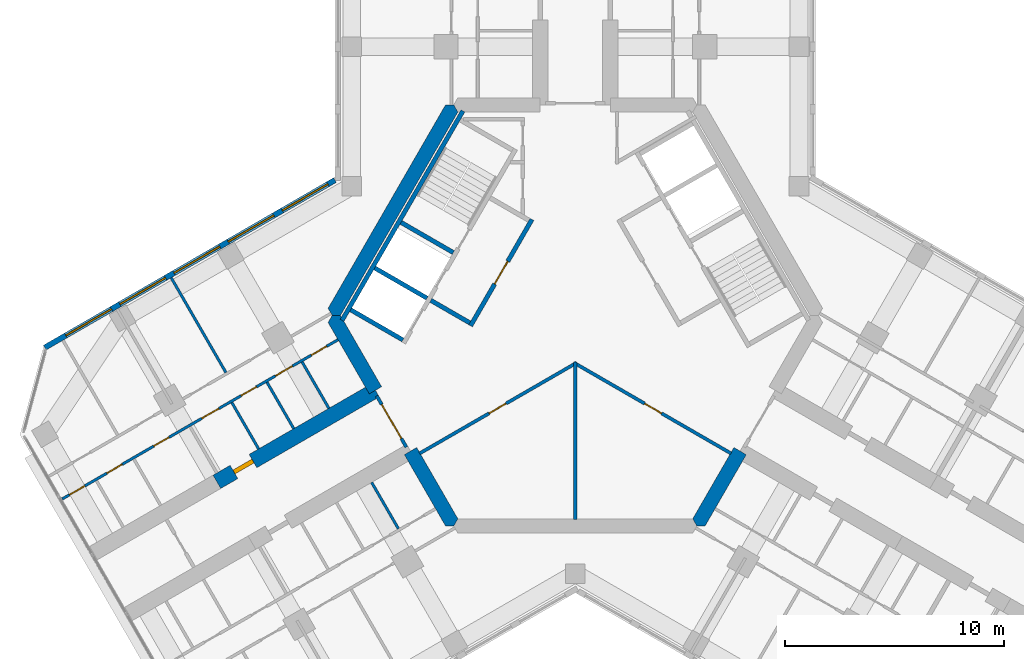
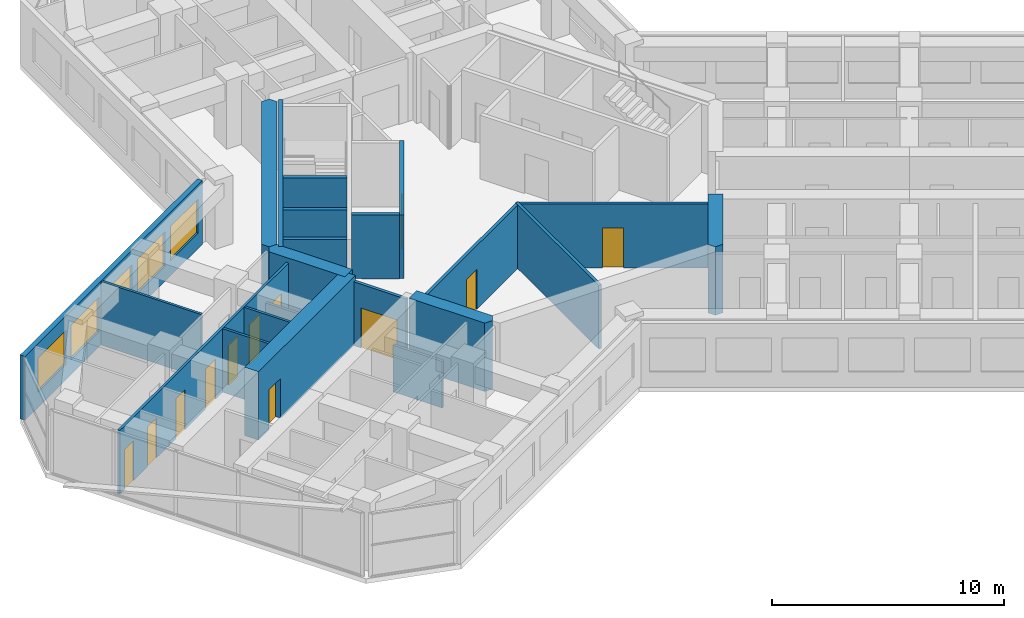
# One storey, part 9 of 16: 22 walls, 12 doors, 5 windows, 17 openings.
"""IFC4 building model written with IfcOpenShell, lengths in metres."""

from ifc_helpers import new_model, si_unit, direction, frame, frame_2d, origin, place, context, subcontext, project, spatial, polyline, rectangle, outline, extrude, material, layer, layer_set, type_object, element, fill, save


model = new_model("IFC4")

# Units and contexts
model_context = context("Model", 3, precision=1e-05, world=origin(), true_north=direction((0.0, 1.0)))
body_context = subcontext(model_context, "Body", "Model", "MODEL_VIEW")
ifc_project = project(units=[si_unit("LENGTHUNIT", "METRE"), si_unit("AREAUNIT", "SQUARE_METRE"), si_unit("VOLUMEUNIT", "CUBIC_METRE"), si_unit("PLANEANGLEUNIT", "RADIAN"), si_unit("MASSUNIT", "GRAM", prefix="KILO")], contexts=[model_context])

# Site, building, storey
site_placement = place(None, origin())
site = spatial("IfcSite", under=ifc_project, at=site_placement, CompositionType="ELEMENT")
building_placement = place(site_placement, origin())
building = spatial("IfcBuilding", under=site, at=building_placement, Name="Kosmar Iwan School Tower", CompositionType="ELEMENT")
storey_placement = place(building_placement, frame((0.0, 0.0, 208.199951171875)))
storey = spatial("IfcBuildingStorey", under=building, at=storey_placement, Name="L52", CompositionType="ELEMENT", Elevation=208.199951171875)

# Wall
ifc_material_1 = material(Name="Gypsum board on steel studs, fire-rated", Category="steel")
ifc_layer_1 = layer(ifc_material_1, 0.14990234375)
ifc_layer_set_1 = layer_set([ifc_layer_1], Name="Core room partition 150")
wall_type_1 = type_object("IfcWallType", Name="Core room partition 150", PredefinedType="PARTITIONING", material=ifc_layer_set_1)
wall_1_placement = place(storey_placement, frame((0.0, -9.294921875, 0.0), z_axis=(0.0, 0.0, 1.0), x_axis=(0.0, 1.0, 0.0)))
element("IfcWall", 1, at=wall_1_placement, inside=storey, type_object=wall_type_1, Name="Core room partition L52-CW5", PredefinedType="PARTITIONING", context=body_context, shape_type="SweptSolid", body=[
    extrude(rectangle(XDim=7.176025390625, YDim=0.14990234375, at=frame_2d((3.587890625, 0.0))), origin(), (0.0, 0.0, 1.0), 3.35009765625),
])

# Wall, opening, door
wall_2_placement = place(storey_placement, frame((-0.06494140625, -2.156494140625, 0.0), z_axis=(0.0, 0.0, 1.0), x_axis=(0.866024394272, -0.500001748523, 0.0)))
wall_2 = element("IfcWall", 2, at=wall_2_placement, inside=storey, type_object=wall_type_1, Name="Core room partition L52-CW6", PredefinedType="PARTITIONING", context=body_context, shape_type="SweptSolid", body=[
    extrude(rectangle(XDim=8.27294921875, YDim=0.14990234375, at=frame_2d((4.136474609375, 0.0))), origin(), (0.0, 0.0, 1.0), 3.35009765625),
])
opening_1_placement = place(wall_2_placement, frame((3.721923828125, 0.0, 0.0)))
opening_1 = element("IfcOpeningElement", 3, at=opening_1_placement, cuts=wall_2, Name="Opening D14", PredefinedType="OPENING", context=body_context, shape_type="SweptSolid", body=[
    extrude(rectangle(XDim=0.89990234375, YDim=2.10009765625, at=frame_2d((0.449951171875, 1.050048828125))), frame((0.0, 0.0869140625, 0.0), z_axis=(0.0, -1.0, 0.0), x_axis=(1.0, 0.0, 0.0)), (0.0, 0.0, 1.0), 0.173828125),
])
ifc_material_2 = material(Name="Timber fire door in steel frame", Category="steel")
door_type_1 = type_object("IfcDoorType", Name="Core room door 900x2100", OperationType="SINGLE_SWING_LEFT", PredefinedType="DOOR", material=ifc_material_2)
door_1_placement = place(opening_1_placement, origin())
door_1 = element("IfcDoor", 4, at=door_1_placement, inside=storey, type_object=door_type_1, Name="Refuse and recycling room door L52 3", OperationType="SINGLE_SWING_RIGHT", OverallHeight=2.10009765625, OverallWidth=0.89990234375, PredefinedType="DOOR", context=body_context, shape_type="SweptSolid", body=[
    extrude(rectangle(XDim=0.89990234375, YDim=2.10009765625, at=frame_2d((0.449951171875, 1.050048828125))), frame((0.0, 0.02490234375, 0.0), z_axis=(0.0, -1.0, 0.0), x_axis=(1.0, 0.0, 0.0)), (0.0, 0.0, 1.0), 0.050048828125),
])
fill(opening_1, door_1)

wall_3_placement = place(storey_placement, frame((-7.099609375, -6.29296875, 0.0), z_axis=(0.0, 0.0, 1.0), x_axis=(0.866024394272, 0.500001748523, 0.0)))
wall_3 = element("IfcWall", 5, at=wall_3_placement, inside=storey, type_object=wall_type_1, Name="Core room partition L52-CW7", PredefinedType="PARTITIONING", context=body_context, shape_type="SweptSolid", body=[
    extrude(rectangle(XDim=8.27294921875, YDim=0.14990234375, at=frame_2d((4.136474609375, 0.0))), origin(), (0.0, 0.0, 1.0), 3.35009765625),
])
opening_2_placement = place(wall_3_placement, frame((3.652099609375, 0.0, 0.0)))
opening_2 = element("IfcOpeningElement", 6, at=opening_2_placement, cuts=wall_3, Name="Opening D14", PredefinedType="OPENING", context=body_context, shape_type="SweptSolid", body=[
    extrude(rectangle(XDim=0.89990234375, YDim=2.10009765625, at=frame_2d((0.449951171875, 1.050048828125))), frame((0.0, 0.0869140625, 0.0), z_axis=(0.0, -1.0, 0.0), x_axis=(1.0, 0.0, 0.0)), (0.0, 0.0, 1.0), 0.173828125),
])
door_2_placement = place(opening_2_placement, origin())
door_2 = element("IfcDoor", 7, at=door_2_placement, inside=storey, type_object=door_type_1, Name="Residents' laundry room door L52 4", OperationType="SINGLE_SWING_LEFT", OverallHeight=2.10009765625, OverallWidth=0.89990234375, PredefinedType="DOOR", context=body_context, shape_type="SweptSolid", body=[
    extrude(rectangle(XDim=0.89990234375, YDim=2.10009765625, at=frame_2d((0.449951171875, 1.050048828125))), frame((0.0, 0.02490234375, 0.0), z_axis=(0.0, -1.0, 0.0), x_axis=(1.0, 0.0, 0.0)), (0.0, 0.0, 1.0), 0.050048828125),
])
fill(opening_2, door_2)

# Walls
ifc_material_3 = material(Name="Concrete C50/60", Category="concrete")
ifc_layer_2 = layer(ifc_material_3, 0.64990234375)
ifc_layer_set_2 = layer_set([ifc_layer_2], Name="Core wall 650")
wall_type_2 = type_object("IfcWallType", Name="Core wall 650", PredefinedType="SHEAR", material=ifc_layer_set_2)
wall_4_placement = place(storey_placement, origin())
element("IfcWall", 8, at=wall_4_placement, inside=storey, type_object=wall_type_2, Name="Core wall F150", PredefinedType="SHEAR", context=body_context, shape_type="SweptSolid", body=[
    extrude(outline(polyline([(-11.085205078125, 0.0), (-10.7099609375, 0.0), (-5.35498046875, 9.27490234375), (-5.54248046875, 9.60009765625), (-5.917724609375, 9.60009765625), (-11.272705078125, 0.324951171875), (-11.085205078125, 0.0)])), origin(), (0.0, 0.0, 1.0), 3.60009765625),
])
wall_5_placement = place(storey_placement, origin())
element("IfcWall", 9, at=wall_5_placement, inside=storey, type_object=wall_type_2, Name="Core wall F210a", PredefinedType="SHEAR", context=body_context, shape_type="SweptSolid", body=[
    extrude(outline(polyline([(-9.395263671875, -3.576904296875), (-8.832275390625, -3.251953125), (-10.7099609375, 0.0), (-11.085205078125, 0.0), (-11.272705078125, -0.324951171875), (-9.395263671875, -3.576904296875)])), origin(), (0.0, 0.0, 1.0), 3.60009765625),
])
wall_6_placement = place(storey_placement, origin())
element("IfcWall", 10, at=wall_6_placement, inside=storey, type_object=wall_type_2, Name="Core wall F210b", PredefinedType="SHEAR", context=body_context, shape_type="SweptSolid", body=[
    extrude(outline(polyline([(-5.917724609375, -9.60009765625), (-5.54248046875, -9.60009765625), (-5.35498046875, -9.27490234375), (-7.232421875, -6.023193359375), (-7.79541015625, -6.34814453125), (-5.917724609375, -9.60009765625)])), origin(), (0.0, 0.0, 1.0), 3.60009765625),
])
wall_7_placement = place(storey_placement, origin())
element("IfcWall", 11, at=wall_7_placement, inside=storey, type_object=wall_type_2, Name="Core wall F330a", PredefinedType="SHEAR", context=body_context, shape_type="SweptSolid", body=[
    extrude(outline(polyline([(5.54248046875, -9.60009765625), (5.917724609375, -9.60009765625), (7.79541015625, -6.34814453125), (7.232421875, -6.023193359375), (5.35498046875, -9.27490234375), (5.54248046875, -9.60009765625)])), origin(), (0.0, 0.0, 1.0), 3.60009765625),
])

# Wall, opening, door
ifc_material_4 = material(Name="Concrete C50/60", Category="concrete")
ifc_layer_3 = layer(ifc_material_4, 0.699951171875)
ifc_layer_set_3 = layer_set([ifc_layer_3], Name="Corridor buttress wall 700")
wall_type_3 = type_object("IfcWallType", Name="Corridor buttress wall 700", PredefinedType="SHEAR", material=ifc_layer_set_3)
wall_8_placement = place(storey_placement, frame((-9.11376953125, -3.414306640625, 0.0), z_axis=(0.0, 0.0, 1.0), x_axis=(-0.866026859388, -0.499997478812, 0.0)))
wall_8 = element("IfcWall", 12, at=wall_8_placement, inside=storey, type_object=wall_type_3, Name="Corridor wall BR", PredefinedType="SHEAR", context=body_context, shape_type="SweptSolid", body=[
    extrude(rectangle(XDim=8.35009765625, YDim=0.699951171875, at=frame_2d((4.175048828125, 0.0))), origin(), (0.0, 0.0, 1.0), 3.60009765625),
])
opening_3_placement = place(wall_8_placement, frame((6.449951171875, 0.0, 0.0)))
opening_3 = element("IfcOpeningElement", 13, at=opening_3_placement, cuts=wall_8, Name="Opening D1", PredefinedType="OPENING", context=body_context, shape_type="SweptSolid", body=[
    extrude(rectangle(XDim=1.0, YDim=2.10009765625, at=frame_2d((0.5, 1.050048828125))), frame((0.0, 0.362060546875, 0.0), z_axis=(0.0, -1.0, 0.0), x_axis=(1.0, 0.0, 0.0)), (0.0, 0.0, 1.0), 0.723876953125),
])
ifc_material_5 = material(Name="Timber fire door in steel frame", Category="steel")
door_type_2 = type_object("IfcDoorType", Name="Flat entrance door 1000x2100", OperationType="SINGLE_SWING_LEFT", PredefinedType="DOOR", material=ifc_material_5)
door_3_placement = place(opening_3_placement, origin())
door_3 = element("IfcDoor", 14, at=door_3_placement, inside=storey, type_object=door_type_2, Name="Flat L52-BR1 entrance door", OperationType="SINGLE_SWING_RIGHT", OverallHeight=2.10009765625, OverallWidth=1.0, PredefinedType="DOOR", context=body_context, shape_type="SweptSolid", body=[
    extrude(rectangle(XDim=1.0, YDim=2.10009765625, at=frame_2d((0.5, 1.050048828125))), frame((0.0, 0.10009765625, 0.0), z_axis=(0.0, -1.0, 0.0), x_axis=(1.0, 0.0, 0.0)), (0.0, 0.0, 1.0), 0.199951171875),
])
fill(opening_3, door_3)

ifc_material_6 = material(Name="Steel framed glazed screen", Category="steel")
ifc_layer_4 = layer(ifc_material_6, 0.14990234375)
ifc_layer_set_4 = layer_set([ifc_layer_4], Name="Corridor screen wall 150")
wall_type_4 = type_object("IfcWallType", Name="Corridor screen wall 150", PredefinedType="PARTITIONING", material=ifc_layer_set_4)
wall_9_placement = place(storey_placement, frame((-9.0537109375, -3.66845703125, 0.0), z_axis=(0.0, 0.0, 1.0), x_axis=(0.499980770555, -0.866036505625, 0.0)))
wall_9 = element("IfcWall", 15, at=wall_9_placement, inside=storey, type_object=wall_type_4, Name="Corridor screen B L52", PredefinedType="PARTITIONING", context=body_context, shape_type="SweptSolid", body=[
    extrude(rectangle(XDim=2.69970703125, YDim=0.14990234375, at=frame_2d((1.349853515625, 0.0))), origin(), (0.0, 0.0, 1.0), 3.35009765625),
])
opening_4_placement = place(wall_9_placement, frame((0.449951171875, 0.0, 0.0)))
opening_4 = element("IfcOpeningElement", 16, at=opening_4_placement, cuts=wall_9, Name="Opening D9", PredefinedType="OPENING", context=body_context, shape_type="SweptSolid", body=[
    extrude(rectangle(XDim=1.800048828125, YDim=2.10009765625, at=frame_2d((0.89990234375, 1.050048828125))), frame((0.0, 0.0869140625, 0.0), z_axis=(0.0, -1.0, 0.0), x_axis=(1.0, 0.0, 0.0)), (0.0, 0.0, 1.0), 0.173828125),
])
ifc_material_7 = material(Name="Steel framed glazed smoke door", Category="steel")
door_type_3 = type_object("IfcDoorType", Name="Corridor smoke door pair 1800x2100", OperationType="DOUBLE_DOOR_DOUBLE_SWING", PredefinedType="DOOR", material=ifc_material_7)
door_4_placement = place(opening_4_placement, origin())
door_4 = element("IfcDoor", 17, at=door_4_placement, inside=storey, type_object=door_type_3, Name="Corridor doors B L52", OperationType="DOUBLE_DOOR_DOUBLE_SWING", OverallHeight=2.10009765625, OverallWidth=1.800048828125, PredefinedType="DOOR", context=body_context, shape_type="SweptSolid", body=[
    extrude(rectangle(XDim=1.800048828125, YDim=2.10009765625, at=frame_2d((0.89990234375, 1.050048828125))), frame((0.0, 0.02490234375, 0.0), z_axis=(0.0, -1.0, 0.0), x_axis=(1.0, 0.0, 0.0)), (0.0, 0.0, 1.0), 0.050048828125),
])
fill(opening_4, door_4)

# Wall
ifc_material_8 = material(Name="Gypsum board on steel studs", Category="steel")
ifc_layer_5 = layer(ifc_material_8, 0.1201171875)
ifc_layer_set_5 = layer_set([ifc_layer_5], Name="Dwelling partition 120")
wall_type_5 = type_object("IfcWallType", Name="Dwelling partition 120", PredefinedType="PARTITIONING", material=ifc_layer_set_5)
wall_10_placement = place(storey_placement, frame((-9.287353515625, -7.61376953125, 0.0), z_axis=(0.0, 0.0, 1.0), x_axis=(0.500002508028, -0.866023955769, 0.0)))
element("IfcWall", 18, at=wall_10_placement, inside=storey, type_object=wall_type_5, Name="Partition L52-BL1-Y1", PredefinedType="PARTITIONING", context=body_context, shape_type="SweptSolid", body=[
    extrude(rectangle(XDim=2.43994140625, YDim=0.1201171875, at=frame_2d((1.219970703125, 0.0))), origin(), (0.0, 0.0, 1.0), 2.449951171875),
])

# Wall, openings, doors
wall_11_placement = place(storey_placement, frame((-10.8203125, -1.108642578125, 0.0), z_axis=(0.0, 0.0, 1.0), x_axis=(-0.866025425371, -0.499999962611, 0.0)))
wall_11 = element("IfcWall", 19, at=wall_11_placement, inside=storey, type_object=wall_type_5, Name="Partition L52-BR1-W1", PredefinedType="PARTITIONING", context=body_context, shape_type="SweptSolid", body=[
    extrude(rectangle(XDim=14.52001953125, YDim=0.1201171875, at=frame_2d((7.260009765625, 0.0))), origin(), (0.0, 0.0, 1.0), 3.35009765625),
])
opening_5_placement = place(wall_11_placement, frame((0.60009765625, 0.0, 0.0)))
opening_5 = element("IfcOpeningElement", 20, at=opening_5_placement, cuts=wall_11, Name="Opening D3", PredefinedType="OPENING", context=body_context, shape_type="SweptSolid", body=[
    extrude(rectangle(XDim=0.800048828125, YDim=2.10009765625, at=frame_2d((0.39990234375, 1.050048828125))), frame((0.0, 0.072021484375, 0.0), z_axis=(0.0, -1.0, 0.0), x_axis=(1.0, 0.0, 0.0)), (0.0, 0.0, 1.0), 0.14404296875),
])
opening_6_placement = place(wall_11_placement, frame((2.39990234375, 0.0, 0.0)))
opening_6 = element("IfcOpeningElement", 21, at=opening_6_placement, cuts=wall_11, Name="Opening D2", PredefinedType="OPENING", context=body_context, shape_type="SweptSolid", body=[
    extrude(rectangle(XDim=0.89990234375, YDim=2.10009765625, at=frame_2d((0.449951171875, 1.050048828125))), frame((0.0, 0.072021484375, 0.0), z_axis=(0.0, -1.0, 0.0), x_axis=(1.0, 0.0, 0.0)), (0.0, 0.0, 1.0), 0.14404296875),
])
opening_7_placement = place(wall_11_placement, frame((4.300048828125, 0.0, 0.0)))
opening_7 = element("IfcOpeningElement", 22, at=opening_7_placement, cuts=wall_11, Name="Opening D3", PredefinedType="OPENING", context=body_context, shape_type="SweptSolid", body=[
    extrude(rectangle(XDim=0.800048828125, YDim=2.10009765625, at=frame_2d((0.39990234375, 1.050048828125))), frame((0.0, 0.072021484375, 0.0), z_axis=(0.0, -1.0, 0.0), x_axis=(1.0, 0.0, 0.0)), (0.0, 0.0, 1.0), 0.14404296875),
])
opening_8_placement = place(wall_11_placement, frame((6.27490234375, 0.0, 0.0)))
opening_8 = element("IfcOpeningElement", 23, at=opening_8_placement, cuts=wall_11, Name="Opening D2", PredefinedType="OPENING", context=body_context, shape_type="SweptSolid", body=[
    extrude(rectangle(XDim=0.89990234375, YDim=2.10009765625, at=frame_2d((0.449951171875, 1.050048828125))), frame((0.0, 0.072021484375, 0.0), z_axis=(0.0, -1.0, 0.0), x_axis=(1.0, 0.0, 0.0)), (0.0, 0.0, 1.0), 0.14404296875),
])
opening_9_placement = place(wall_11_placement, frame((8.903564453125, 0.0, 0.0)))
opening_9 = element("IfcOpeningElement", 24, at=opening_9_placement, cuts=wall_11, Name="Opening D3", PredefinedType="OPENING", context=body_context, shape_type="SweptSolid", body=[
    extrude(rectangle(XDim=0.800048828125, YDim=2.10009765625, at=frame_2d((0.39990234375, 1.050048828125))), frame((0.0, 0.072021484375, 0.0), z_axis=(0.0, -1.0, 0.0), x_axis=(1.0, 0.0, 0.0)), (0.0, 0.0, 1.0), 0.14404296875),
])
opening_10_placement = place(wall_11_placement, frame((11.367919921875, 0.0, 0.0)))
opening_10 = element("IfcOpeningElement", 25, at=opening_10_placement, cuts=wall_11, Name="Opening D3", PredefinedType="OPENING", context=body_context, shape_type="SweptSolid", body=[
    extrude(rectangle(XDim=0.800048828125, YDim=2.10009765625, at=frame_2d((0.39990234375, 1.050048828125))), frame((0.0, 0.072021484375, 0.0), z_axis=(0.0, -1.0, 0.0), x_axis=(1.0, 0.0, 0.0)), (0.0, 0.0, 1.0), 0.14404296875),
])
opening_11_placement = place(wall_11_placement, frame((13.33935546875, 0.0, 0.0)))
opening_11 = element("IfcOpeningElement", 26, at=opening_11_placement, cuts=wall_11, Name="Opening D3", PredefinedType="OPENING", context=body_context, shape_type="SweptSolid", body=[
    extrude(rectangle(XDim=0.800048828125, YDim=2.10009765625, at=frame_2d((0.39990234375, 1.050048828125))), frame((0.0, 0.072021484375, 0.0), z_axis=(0.0, -1.0, 0.0), x_axis=(1.0, 0.0, 0.0)), (0.0, 0.0, 1.0), 0.14404296875),
])
ifc_material_9 = material(Name="Timber door in timber frame", Category="wood")
door_type_4 = type_object("IfcDoorType", Name="Internal door 900x2100", OperationType="SINGLE_SWING_LEFT", PredefinedType="DOOR", material=ifc_material_9)
door_5_placement = place(opening_6_placement, origin())
door_5 = element("IfcDoor", 27, at=door_5_placement, inside=storey, type_object=door_type_4, Name="Pantry door L52-BR1-S2", OperationType="SINGLE_SWING_RIGHT", OverallHeight=2.10009765625, OverallWidth=0.89990234375, PredefinedType="DOOR", context=body_context, shape_type="SweptSolid", body=[
    extrude(rectangle(XDim=0.89990234375, YDim=2.10009765625, at=frame_2d((0.449951171875, 1.050048828125))), frame((0.0, 0.02490234375, 0.0), z_axis=(0.0, -1.0, 0.0), x_axis=(1.0, 0.0, 0.0)), (0.0, 0.0, 1.0), 0.050048828125),
])
fill(opening_6, door_5)
door_6_placement = place(opening_8_placement, origin())
door_6 = element("IfcDoor", 28, at=door_6_placement, inside=storey, type_object=door_type_4, Name="Entrance hall door L52-BR1-S4", OperationType="SINGLE_SWING_RIGHT", OverallHeight=2.10009765625, OverallWidth=0.89990234375, PredefinedType="DOOR", context=body_context, shape_type="SweptSolid", body=[
    extrude(rectangle(XDim=0.89990234375, YDim=2.10009765625, at=frame_2d((0.449951171875, 1.050048828125))), frame((0.0, 0.02490234375, 0.0), z_axis=(0.0, -1.0, 0.0), x_axis=(1.0, 0.0, 0.0)), (0.0, 0.0, 1.0), 0.050048828125),
])
fill(opening_8, door_6)
ifc_material_10 = material(Name="Timber door in timber frame", Category="wood")
door_type_5 = type_object("IfcDoorType", Name="Sanitary room door 800x2100", OperationType="SINGLE_SWING_LEFT", PredefinedType="DOOR", material=ifc_material_10)
door_7_placement = place(opening_5_placement, origin())
door_7 = element("IfcDoor", 29, at=door_7_placement, inside=storey, type_object=door_type_5, Name="Store door L52-BR1-S1", OperationType="SINGLE_SWING_LEFT", OverallHeight=2.10009765625, OverallWidth=0.800048828125, PredefinedType="DOOR", context=body_context, shape_type="SweptSolid", body=[
    extrude(rectangle(XDim=0.800048828125, YDim=2.10009765625, at=frame_2d((0.39990234375, 1.050048828125))), frame((0.0, 0.02490234375, 0.0), z_axis=(0.0, -1.0, 0.0), x_axis=(1.0, 0.0, 0.0)), (0.0, 0.0, 1.0), 0.050048828125),
])
fill(opening_5, door_7)
door_8_placement = place(opening_7_placement, origin())
door_8 = element("IfcDoor", 30, at=door_8_placement, inside=storey, type_object=door_type_5, Name="Grandparents' shower room door L52-BR1-S3", OperationType="SINGLE_SWING_LEFT", OverallHeight=2.10009765625, OverallWidth=0.800048828125, PredefinedType="DOOR", context=body_context, shape_type="SweptSolid", body=[
    extrude(rectangle(XDim=0.800048828125, YDim=2.10009765625, at=frame_2d((0.39990234375, 1.050048828125))), frame((0.0, 0.02490234375, 0.0), z_axis=(0.0, -1.0, 0.0), x_axis=(1.0, 0.0, 0.0)), (0.0, 0.0, 1.0), 0.050048828125),
])
fill(opening_7, door_8)
door_9_placement = place(opening_9_placement, origin())
door_9 = element("IfcDoor", 31, at=door_9_placement, inside=storey, type_object=door_type_5, Name="Bathroom door L52-BR1-S5", OperationType="SINGLE_SWING_LEFT", OverallHeight=2.10009765625, OverallWidth=0.800048828125, PredefinedType="DOOR", context=body_context, shape_type="SweptSolid", body=[
    extrude(rectangle(XDim=0.800048828125, YDim=2.10009765625, at=frame_2d((0.39990234375, 1.050048828125))), frame((0.0, 0.02490234375, 0.0), z_axis=(0.0, -1.0, 0.0), x_axis=(1.0, 0.0, 0.0)), (0.0, 0.0, 1.0), 0.050048828125),
])
fill(opening_9, door_9)
door_10_placement = place(opening_10_placement, origin())
door_10 = element("IfcDoor", 32, at=door_10_placement, inside=storey, type_object=door_type_5, Name="Shower room door L52-BR1-S6", OperationType="SINGLE_SWING_RIGHT", OverallHeight=2.10009765625, OverallWidth=0.800048828125, PredefinedType="DOOR", context=body_context, shape_type="SweptSolid", body=[
    extrude(rectangle(XDim=0.800048828125, YDim=2.10009765625, at=frame_2d((0.39990234375, 1.050048828125))), frame((0.0, 0.02490234375, 0.0), z_axis=(0.0, -1.0, 0.0), x_axis=(1.0, 0.0, 0.0)), (0.0, 0.0, 1.0), 0.050048828125),
])
fill(opening_10, door_10)
door_11_placement = place(opening_11_placement, origin())
door_11 = element("IfcDoor", 33, at=door_11_placement, inside=storey, type_object=door_type_5, Name="WC door L52-BR1-S7", OperationType="SINGLE_SWING_RIGHT", OverallHeight=2.10009765625, OverallWidth=0.800048828125, PredefinedType="DOOR", context=body_context, shape_type="SweptSolid", body=[
    extrude(rectangle(XDim=0.800048828125, YDim=2.10009765625, at=frame_2d((0.39990234375, 1.050048828125))), frame((0.0, 0.02490234375, 0.0), z_axis=(0.0, -1.0, 0.0), x_axis=(1.0, 0.0, 0.0)), (0.0, 0.0, 1.0), 0.050048828125),
])
fill(opening_11, door_11)

# Walls
wall_12_placement = place(storey_placement, frame((-15.931884765625, -2.60498046875, 0.0), z_axis=(0.0, 0.0, 1.0), x_axis=(-0.500011847778, 0.866018563358, 0.0)))
element("IfcWall", 34, at=wall_12_placement, inside=storey, type_object=wall_type_5, Name="Partition L52-BR1-X1", PredefinedType="PARTITIONING", context=body_context, shape_type="SweptSolid", body=[
    extrude(rectangle(XDim=4.990234375, YDim=0.1201171875, at=frame_2d((2.4951171875, 0.0))), origin(), (0.0, 0.0, 1.0), 3.35009765625),
])
wall_13_placement = place(storey_placement, frame((-11.2373046875, -4.236328125, 0.0), z_axis=(0.0, 0.0, 1.0), x_axis=(-0.500034220881, 0.866005645448, 0.0)))
element("IfcWall", 35, at=wall_13_placement, inside=storey, type_object=wall_type_5, Name="Partition L52-BR1-Y1", PredefinedType="PARTITIONING", context=body_context, shape_type="SweptSolid", body=[
    extrude(rectangle(XDim=2.440185546875, YDim=0.1201171875, at=frame_2d((1.22021484375, 0.0))), origin(), (0.0, 0.0, 1.0), 2.449951171875),
])
wall_14_placement = place(storey_placement, frame((-12.839599609375, -5.161376953125, 0.0), z_axis=(0.0, 0.0, 1.0), x_axis=(-0.499959183527, 0.866048967903, 0.0)))
element("IfcWall", 36, at=wall_14_placement, inside=storey, type_object=wall_type_5, Name="Partition L52-BR1-Y2", PredefinedType="PARTITIONING", context=body_context, shape_type="SweptSolid", body=[
    extrude(rectangle(XDim=2.440185546875, YDim=0.1201171875, at=frame_2d((1.22021484375, 0.0))), origin(), (0.0, 0.0, 1.0), 3.35009765625),
])
wall_15_placement = place(storey_placement, frame((-14.441650390625, -6.086181640625, 0.0), z_axis=(0.0, 0.0, 1.0), x_axis=(-0.500002508028, 0.866023955769, 0.0)))
element("IfcWall", 37, at=wall_15_placement, inside=storey, type_object=wall_type_5, Name="Partition L52-BR1-Y3", PredefinedType="PARTITIONING", context=body_context, shape_type="SweptSolid", body=[
    extrude(rectangle(XDim=2.43994140625, YDim=0.1201171875, at=frame_2d((1.219970703125, 0.0))), origin(), (0.0, 0.0, 1.0), 3.35009765625),
])

# Wall, openings, windows
ifc_material_11 = material(Name="Black aluminium rainscreen on insulated framing", Category="aluminium")
ifc_layer_6 = layer(ifc_material_11, 0.25)
ifc_layer_set_6 = layer_set([ifc_layer_6], Name="External wall rainscreen 250")
wall_type_6 = type_object("IfcWallType", Name="External wall rainscreen 250", PredefinedType="SOLIDWALL", material=ifc_layer_set_6)
wall_16_placement = place(storey_placement, frame((-10.962890625, 6.170166015625, 0.0), z_axis=(0.0, 0.0, 1.0), x_axis=(-0.866025637253, -0.499999595621, 0.0)))
wall_16 = element("IfcWall", 38, at=wall_16_placement, inside=storey, type_object=wall_type_6, Name="External wall BR L52", PredefinedType="SOLIDWALL", context=body_context, shape_type="SweptSolid", body=[
    extrude(rectangle(XDim=15.2763671875, YDim=0.25, at=frame_2d((7.63818359375, 0.0))), origin(), (0.0, 0.0, 1.0), 3.35009765625),
])
opening_12_placement = place(wall_16_placement, frame((0.365966796875, 0.0, 0.800048828125)))
opening_12 = element("IfcOpeningElement", 39, at=opening_12_placement, cuts=wall_16, Name="Opening W5", PredefinedType="OPENING", context=body_context, shape_type="SweptSolid", body=[
    extrude(rectangle(XDim=2.39990234375, YDim=1.800048828125, at=frame_2d((1.199951171875, 0.89990234375))), frame((0.0, 0.136962890625, 0.0), z_axis=(0.0, -1.0, 0.0), x_axis=(1.0, 0.0, 0.0)), (0.0, 0.0, 1.0), 0.27392578125),
])
opening_13_placement = place(wall_16_placement, frame((3.216064453125, 0.0, 0.800048828125)))
opening_13 = element("IfcOpeningElement", 40, at=opening_13_placement, cuts=wall_16, Name="Opening W5", PredefinedType="OPENING", context=body_context, shape_type="SweptSolid", body=[
    extrude(rectangle(XDim=2.39990234375, YDim=1.800048828125, at=frame_2d((1.199951171875, 0.89990234375))), frame((0.0, 0.136962890625, 0.0), z_axis=(0.0, -1.0, 0.0), x_axis=(1.0, 0.0, 0.0)), (0.0, 0.0, 1.0), 0.27392578125),
])
opening_14_placement = place(wall_16_placement, frame((6.06591796875, 0.0, 0.800048828125)))
opening_14 = element("IfcOpeningElement", 41, at=opening_14_placement, cuts=wall_16, Name="Opening W5", PredefinedType="OPENING", context=body_context, shape_type="SweptSolid", body=[
    extrude(rectangle(XDim=2.39990234375, YDim=1.800048828125, at=frame_2d((1.199951171875, 0.89990234375))), frame((0.0, 0.136962890625, 0.0), z_axis=(0.0, -1.0, 0.0), x_axis=(1.0, 0.0, 0.0)), (0.0, 0.0, 1.0), 0.27392578125),
])
opening_15_placement = place(wall_16_placement, frame((8.916015625, 0.0, 0.800048828125)))
opening_15 = element("IfcOpeningElement", 42, at=opening_15_placement, cuts=wall_16, Name="Opening W5", PredefinedType="OPENING", context=body_context, shape_type="SweptSolid", body=[
    extrude(rectangle(XDim=2.39990234375, YDim=1.800048828125, at=frame_2d((1.199951171875, 0.89990234375))), frame((0.0, 0.136962890625, 0.0), z_axis=(0.0, -1.0, 0.0), x_axis=(1.0, 0.0, 0.0)), (0.0, 0.0, 1.0), 0.27392578125),
])
opening_16_placement = place(wall_16_placement, frame((11.76611328125, 0.0, 0.800048828125)))
opening_16 = element("IfcOpeningElement", 43, at=opening_16_placement, cuts=wall_16, Name="Opening W5", PredefinedType="OPENING", context=body_context, shape_type="SweptSolid", body=[
    extrude(rectangle(XDim=2.39990234375, YDim=1.800048828125, at=frame_2d((1.199951171875, 0.89990234375))), frame((0.0, 0.136962890625, 0.0), z_axis=(0.0, -1.0, 0.0), x_axis=(1.0, 0.0, 0.0)), (0.0, 0.0, 1.0), 0.27392578125),
])
ifc_material_12 = material(Name="Black aluminium frame with dark triple glazing", Category="aluminium")
window_type = type_object("IfcWindowType", Name="Window 2400x1800", PartitioningType="SINGLE_PANEL", PredefinedType="WINDOW", material=ifc_material_12)
window_1_placement = place(opening_12_placement, origin())
window_1 = element("IfcWindow", 44, at=window_1_placement, inside=storey, type_object=window_type, Name="Window BR L52 -1", OverallHeight=1.800048828125, OverallWidth=2.39990234375, PartitioningType="SINGLE_PANEL", PredefinedType="WINDOW", context=body_context, shape_type="SweptSolid", body=[
    extrude(rectangle(XDim=2.39990234375, YDim=1.800048828125, at=frame_2d((1.199951171875, 0.89990234375))), frame((0.0, 0.030029296875, 0.0), z_axis=(0.0, -1.0, 0.0), x_axis=(1.0, 0.0, 0.0)), (0.0, 0.0, 1.0), 0.06005859375),
])
fill(opening_12, window_1)
window_2_placement = place(opening_13_placement, origin())
window_2 = element("IfcWindow", 45, at=window_2_placement, inside=storey, type_object=window_type, Name="Window BR L52 0", OverallHeight=1.800048828125, OverallWidth=2.39990234375, PartitioningType="SINGLE_PANEL", PredefinedType="WINDOW", context=body_context, shape_type="SweptSolid", body=[
    extrude(rectangle(XDim=2.39990234375, YDim=1.800048828125, at=frame_2d((1.199951171875, 0.89990234375))), frame((0.0, 0.030029296875, 0.0), z_axis=(0.0, -1.0, 0.0), x_axis=(1.0, 0.0, 0.0)), (0.0, 0.0, 1.0), 0.06005859375),
])
fill(opening_13, window_2)
window_3_placement = place(opening_14_placement, origin())
window_3 = element("IfcWindow", 46, at=window_3_placement, inside=storey, type_object=window_type, Name="Window BR L52 1", OverallHeight=1.800048828125, OverallWidth=2.39990234375, PartitioningType="SINGLE_PANEL", PredefinedType="WINDOW", context=body_context, shape_type="SweptSolid", body=[
    extrude(rectangle(XDim=2.39990234375, YDim=1.800048828125, at=frame_2d((1.199951171875, 0.89990234375))), frame((0.0, 0.030029296875, 0.0), z_axis=(0.0, -1.0, 0.0), x_axis=(1.0, 0.0, 0.0)), (0.0, 0.0, 1.0), 0.06005859375),
])
fill(opening_14, window_3)
window_4_placement = place(opening_15_placement, origin())
window_4 = element("IfcWindow", 47, at=window_4_placement, inside=storey, type_object=window_type, Name="Window BR L52 2", OverallHeight=1.800048828125, OverallWidth=2.39990234375, PartitioningType="SINGLE_PANEL", PredefinedType="WINDOW", context=body_context, shape_type="SweptSolid", body=[
    extrude(rectangle(XDim=2.39990234375, YDim=1.800048828125, at=frame_2d((1.199951171875, 0.89990234375))), frame((0.0, 0.030029296875, 0.0), z_axis=(0.0, -1.0, 0.0), x_axis=(1.0, 0.0, 0.0)), (0.0, 0.0, 1.0), 0.06005859375),
])
fill(opening_15, window_4)
window_5_placement = place(opening_16_placement, origin())
window_5 = element("IfcWindow", 48, at=window_5_placement, inside=storey, type_object=window_type, Name="Window BR L52 3", OverallHeight=1.800048828125, OverallWidth=2.39990234375, PartitioningType="SINGLE_PANEL", PredefinedType="WINDOW", context=body_context, shape_type="SweptSolid", body=[
    extrude(rectangle(XDim=2.39990234375, YDim=1.800048828125, at=frame_2d((1.199951171875, 0.89990234375))), frame((0.0, 0.030029296875, 0.0), z_axis=(0.0, -1.0, 0.0), x_axis=(1.0, 0.0, 0.0)), (0.0, 0.0, 1.0), 0.06005859375),
])
fill(opening_16, window_5)

# Wall, opening, door
ifc_material_13 = material(Name="Concrete block masonry", Category="masonry")
ifc_layer_7 = layer(ifc_material_13, 0.199951171875)
ifc_layer_set_7 = layer_set([ifc_layer_7], Name="Fire lobby wall 200")
wall_type_7 = type_object("IfcWallType", Name="Fire lobby wall 200", PredefinedType="PARTITIONING", material=ifc_layer_set_7)
wall_17_placement = place(storey_placement, frame((-1.9775390625, 4.374755859375, 0.0), z_axis=(0.0, 0.0, 1.0), x_axis=(-0.500016814911, -0.866015695474, 0.0)))
wall_17 = element("IfcWall", 49, at=wall_17_placement, inside=storey, type_object=wall_type_7, Name="Firefighting lobby wall ST2", PredefinedType="PARTITIONING", context=body_context, shape_type="SweptSolid", body=[
    extrude(rectangle(XDim=5.599853515625, YDim=0.199951171875, at=frame_2d((2.7998046875, 0.0))), origin(), (0.0, 0.0, 1.0), 3.35009765625),
])
opening_17_placement = place(wall_17_placement, frame((2.199951171875, 0.0, 0.0)))
opening_17 = element("IfcOpeningElement", 50, at=opening_17_placement, cuts=wall_17, Name="Opening D7", PredefinedType="OPENING", context=body_context, shape_type="SweptSolid", body=[
    extrude(rectangle(XDim=1.199951171875, YDim=2.10009765625, at=frame_2d((0.60009765625, 1.050048828125))), frame((0.0, 0.112060546875, 0.0), z_axis=(0.0, -1.0, 0.0), x_axis=(1.0, 0.0, 0.0)), (0.0, 0.0, 1.0), 0.223876953125),
])
ifc_material_14 = material(Name="Steel fire door", Category="steel")
door_type_6 = type_object("IfcDoorType", Name="Fire lobby door 1200x2100", OperationType="SINGLE_SWING_LEFT", PredefinedType="DOOR", material=ifc_material_14)
door_12_placement = place(opening_17_placement, origin())
door_12 = element("IfcDoor", 51, at=door_12_placement, inside=storey, type_object=door_type_6, Name="Firefighting lobby door ST2 L52", OperationType="SINGLE_SWING_RIGHT", OverallHeight=2.10009765625, OverallWidth=1.199951171875, PredefinedType="DOOR", context=body_context, shape_type="SweptSolid", body=[
    extrude(rectangle(XDim=1.199951171875, YDim=2.10009765625, at=frame_2d((0.60009765625, 1.050048828125))), frame((0.0, 0.02490234375, 0.0), z_axis=(0.0, -1.0, 0.0), x_axis=(1.0, 0.0, 0.0)), (0.0, 0.0, 1.0), 0.050048828125),
])
fill(opening_17, door_12)

# Walls
wall_18_placement = place(storey_placement, frame((-4.814208984375, -0.33837890625, 0.0), z_axis=(0.0, 0.0, 1.0), x_axis=(-0.865969381856, 0.500097020274, 0.0)))
element("IfcWall", 52, at=wall_18_placement, inside=storey, type_object=wall_type_7, Name="Firefighting lobby wall ST2", PredefinedType="PARTITIONING", context=body_context, shape_type="SweptSolid", body=[
    extrude(rectangle(XDim=2.0498046875, YDim=0.199951171875, at=frame_2d((1.02490234375, 0.0))), origin(), (0.0, 0.0, 1.0), 3.35009765625),
])
ifc_material_15 = material(Name="Concrete C50/60", Category="concrete")
ifc_layer_8 = layer(ifc_material_15, 0.199951171875)
ifc_layer_set_8 = layer_set([ifc_layer_8], Name="Lift shaft wall 200")
wall_type_8 = type_object("IfcWallType", Name="Lift shaft wall 200", PredefinedType="SHEAR", material=ifc_layer_set_8)
wall_19_placement = place(storey_placement, frame((-5.1240234375, 9.324951171875, 0.0), z_axis=(0.0, 0.0, 1.0), x_axis=(-0.49999650507, -0.866027421574, 0.0)))
element("IfcWall", 53, at=wall_19_placement, inside=storey, type_object=wall_type_8, Name="Lift and stair back wall AB", PredefinedType="SHEAR", context=body_context, shape_type="SweptSolid", body=[
    extrude(rectangle(XDim=11.02734375, YDim=0.199951171875, at=frame_2d((5.513671875, 0.0))), origin(), (0.0, 0.0, 1.0), 3.60009765625),
])
for number, where, z_axis, x_axis, name in (
    (54, (-6.7626953125, 0.78662109375, 0.0), (0.0, 0.0, 1.0), (-0.866027397988, 0.499996545922, 0.0), "Lift shaft wall AB 1"),
    (55, (-7.862548828125, -1.118408203125, 0.0), (0.0, 0.0, 1.0), (-0.866027397988, 0.499996545922, 0.0), "Lift shaft wall AB 2"),
):
    element("IfcWall", number, at=place(storey_placement, frame(where, z_axis=z_axis, x_axis=x_axis)), inside=storey, type_object=wall_type_8, Name=name, PredefinedType="SHEAR", context=body_context, shape_type="SweptSolid", body=[
        extrude(rectangle(XDim=2.75, YDim=0.199951171875, at=frame_2d((1.375, 0.0))), origin(), (0.0, 0.0, 1.0), 3.60009765625),
    ])
ifc_material_16 = material(Name="Concrete C50/60", Category="concrete")
ifc_layer_9 = layer(ifc_material_16, 0.199951171875)
ifc_layer_set_9 = layer_set([ifc_layer_9], Name="Stair enclosure wall 200")
wall_type_9 = type_object("IfcWallType", Name="Stair enclosure wall 200", PredefinedType="SHEAR", material=ifc_layer_set_9)
wall_20_placement = place(storey_placement, frame((-5.562744140625, 2.865234375, 0.0), z_axis=(0.0, 0.0, 1.0), x_axis=(-0.866027397988, 0.499996545922, 0.0)))
element("IfcWall", 56, at=wall_20_placement, inside=storey, type_object=wall_type_9, Name="Stair ST2 wall", PredefinedType="SHEAR", context=body_context, shape_type="SweptSolid", body=[
    extrude(rectangle(XDim=2.75, YDim=0.199951171875, at=frame_2d((1.375, 0.0))), origin(), (0.0, 0.0, 1.0), 3.60009765625),
])

save(model, "model.ifc")
